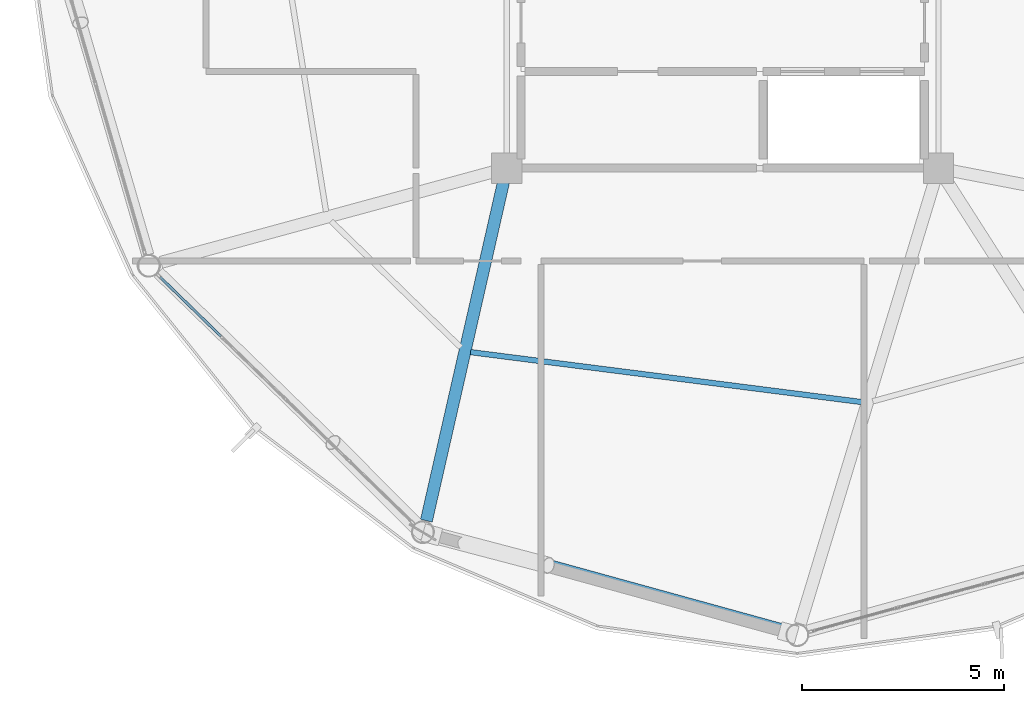
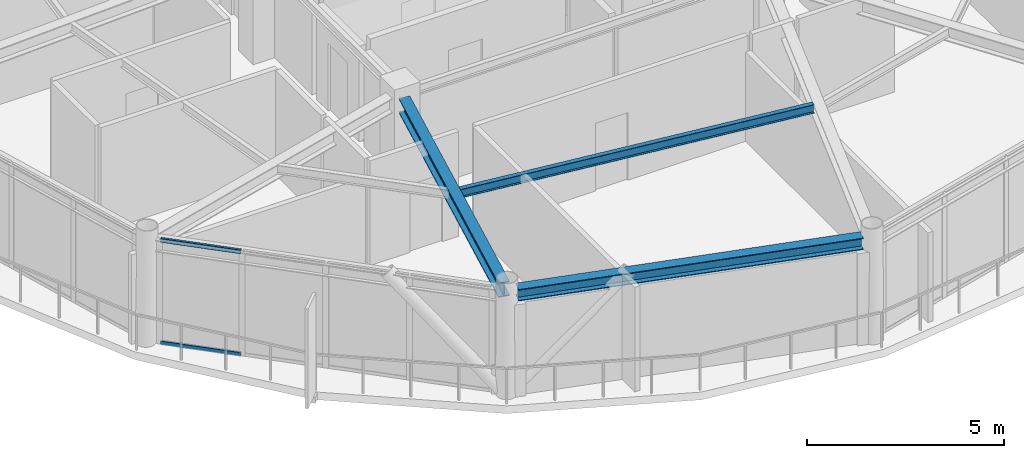
# One storey, part 3 of 28: 3 beams, 2 members, 1 element without a shape of its own.
"""IFC4 building model written with IfcOpenShell, lengths in metres."""

from ifc_helpers import new_model, si_unit, direction, frame, origin, origin_2d, place, context, subcontext, project, spatial, hollow_rectangle, i_section, extrude, material, layer, layer_set, material_profile, profile_set, type_object, element, aggregate, save


model = new_model("IFC4")

# Units and contexts
model_context = context("Model", 3, precision=1e-05, world=origin(), true_north=direction((0.0, 1.0)))
body_context = subcontext(model_context, "Body", "Model", "MODEL_VIEW")
ifc_project = project(units=[si_unit("LENGTHUNIT", "METRE"), si_unit("AREAUNIT", "SQUARE_METRE"), si_unit("VOLUMEUNIT", "CUBIC_METRE"), si_unit("PLANEANGLEUNIT", "RADIAN"), si_unit("MASSUNIT", "GRAM", prefix="KILO")], contexts=[model_context])

# Site, building, storey
site_placement = place(None, origin())
site = spatial("IfcSite", under=ifc_project, at=site_placement, CompositionType="ELEMENT")
building_placement = place(site_placement, origin())
building = spatial("IfcBuilding", under=site, at=building_placement, Name="Varnakorn Sky Granary", CompositionType="ELEMENT")
storey_placement = place(building_placement, frame((0.0, 0.0, 236.39990234375)))
storey = spatial("IfcBuildingStorey", under=building, at=storey_placement, Name="L60", CompositionType="ELEMENT", Elevation=236.39990234375)

# Beams
ifc_material_1 = material(Name="Steel S355JR", Category="steel")
ifc_material_profile_1 = material_profile(ifc_material_1, i_section(OverallWidth=0.300048828125, OverallDepth=0.449951171875, WebThickness=0.013916015625, FlangeThickness=0.02587890625, at=origin_2d()), Name="HE 450 B")
ifc_profile_set_1 = profile_set([ifc_material_profile_1], Name="Steel S355JR")
beam_type_1 = type_object("IfcBeamType", Name="BM-RAD-Z5", PredefinedType="BEAM", material=ifc_profile_set_1)
beam_1_placement = place(storey_placement, frame((-2.4287109375, -6.946044921875, 3.025146484375), z_axis=(-0.222071194836, -0.975030453075, 0.0), x_axis=(0.975030453075, -0.222071194836, 0.0)))
element("IfcBeam", 1, at=beam_1_placement, inside=storey, type_object=beam_type_1, Name="Radial Floor Girder RG09 L60", PredefinedType="BEAM", context=body_context, shape_type="SweptSolid", body=[
    extrude(i_section(OverallWidth=0.300048828125, OverallDepth=0.449951171875, WebThickness=0.013916015625, FlangeThickness=0.02587890625, at=origin_2d()), origin(), (0.0, 0.0, 1.0), 8.603759765625),
])
ifc_material_profile_2 = material_profile(ifc_material_1, i_section(OverallWidth=0.135009765625, OverallDepth=0.27001953125, WebThickness=0.006591796875, FlangeThickness=0.01025390625, at=origin_2d()), Name="IPE 270")
ifc_profile_set_2 = profile_set([ifc_material_profile_2], Name="Steel S355JR")
beam_type_2 = type_object("IfcBeamType", Name="BM-SEC-Z5", PredefinedType="BEAM", material=ifc_profile_set_2)
beam_2_placement = place(storey_placement, frame((-3.2451171875, -11.158203125, 3.114990234375), z_axis=(0.991951248547, -0.126620379509, 0.0), x_axis=(0.126620379509, 0.991951248547, 0.0)))
element("IfcBeam", 2, at=beam_2_placement, inside=storey, type_object=beam_type_2, Name="Secondary Floor Chord Beam MSB09 L60", PredefinedType="BEAM", context=body_context, shape_type="SweptSolid", body=[
    extrude(i_section(OverallWidth=0.135009765625, OverallDepth=0.27001953125, WebThickness=0.006591796875, FlangeThickness=0.01025390625, at=origin_2d()), origin(), (0.0, 0.0, 1.0), 9.771728515625),
])
ifc_material_profile_3 = material_profile(ifc_material_1, i_section(OverallWidth=0.300048828125, OverallDepth=0.360107421875, WebThickness=0.012451171875, FlangeThickness=0.0224609375, at=origin_2d()), Name="HE 360 B")
ifc_profile_set_3 = profile_set([ifc_material_profile_3], Name="Steel S355JR")
beam_type_3 = type_object("IfcBeamType", Name="BM-SPD-Z5", PredefinedType="SPANDREL", material=ifc_profile_set_3)
beam_3_placement = place(storey_placement, frame((-4.14306640625, -15.6630859375, 3.070068359375), z_axis=(0.964098741197, -0.265544002423, 0.0), x_axis=(0.265544002423, 0.964098741197, 0.0)))
element("IfcBeam", 3, at=beam_3_placement, inside=storey, type_object=beam_type_3, Name="Perimeter Spandrel Ring Beam RB09 L60", PredefinedType="SPANDREL", context=body_context, shape_type="SweptSolid", body=[
    extrude(i_section(OverallWidth=0.300048828125, OverallDepth=0.360107421875, WebThickness=0.012451171875, FlangeThickness=0.0224609375, at=origin_2d()), origin(), (0.0, 0.0, 1.0), 9.0634765625),
])

# Curtain wall, members
ifc_material_2 = material(Name="Anodised Bronze Aluminium Alloy 6063-T6", Category="aluminium")
ifc_layer = layer(ifc_material_2, 0.159912109375, Name="Anodised Bronze Aluminium Alloy 6063-T6")
ifc_layer_set = layer_set([ifc_layer], Name="Anodised Bronze Aluminium Alloy 6063-T6")
curtain_wall_type = type_object("IfcCurtainWallType", Name="CW-OFF-1", PredefinedType="USERDEFINED", material=ifc_layer_set)
curtain_wall_placement = place(storey_placement, origin())
curtain_wall = element("IfcCurtainWall", 4, at=curtain_wall_placement, inside=storey, type_object=curtain_wall_type, Name="Unitised Curtain Wall CW6 CW-L60-B08", ObjectType="CURTAIN WALL", PredefinedType="USERDEFINED")
ifc_material_profile_4 = material_profile(ifc_material_2, hollow_rectangle(XDim=0.06494140625, YDim=0.1201171875, WallThickness=0.00341796875, at=origin_2d()), Name="ALU TRAN 65x120")
ifc_profile_set_4 = profile_set([ifc_material_profile_4], Name="Anodised Bronze Aluminium Alloy 6063-T6")
member_type = type_object("IfcMemberType", Name="CW-OFF-1-TRAN", PredefinedType="USERDEFINED", material=ifc_profile_set_4)
member_1_placement = place(storey_placement, frame((-9.428955078125, -10.765869140625, 0.03271484375), z_axis=(-0.717143312529, 0.696925727244, 0.0), x_axis=(-0.696925727244, -0.717143312529, 0.0)))
member_1 = element("IfcMember", 5, at=member_1_placement, type_object=member_type, Name="CW6 transom 4.1", ObjectType="TRANSOM", PredefinedType="USERDEFINED", context=body_context, shape_type="SweptSolid", body=[
    extrude(hollow_rectangle(XDim=0.06494140625, YDim=0.1201171875, WallThickness=0.00341796875, at=origin_2d()), origin(), (0.0, 0.0, 1.0), 2.10107421875),
])
member_2_placement = place(storey_placement, frame((-9.428955078125, -10.765869140625, 3.217529296875), z_axis=(-0.717143312529, 0.696925727244, 0.0), x_axis=(-0.696925727244, -0.717143312529, 0.0)))
member_2 = element("IfcMember", 6, at=member_2_placement, type_object=member_type, Name="CW6 transom 4.2", ObjectType="TRANSOM", PredefinedType="USERDEFINED", context=body_context, shape_type="SweptSolid", body=[
    extrude(hollow_rectangle(XDim=0.06494140625, YDim=0.1201171875, WallThickness=0.00341796875, at=origin_2d()), origin(), (0.0, 0.0, 1.0), 2.10107421875),
])
aggregate(curtain_wall, [member_1, member_2])

save(model, "model.ifc")
